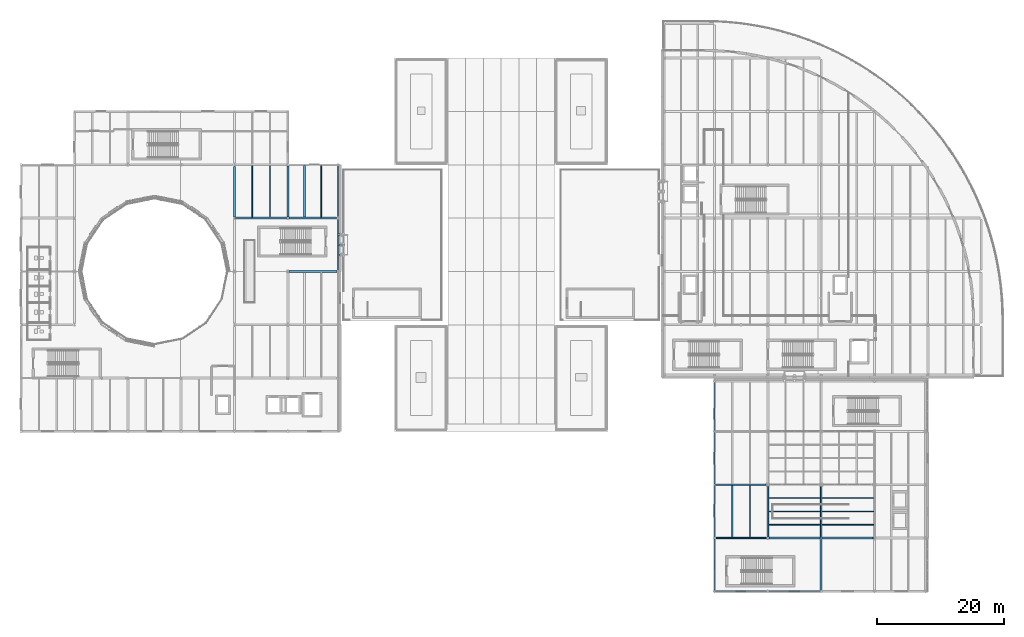
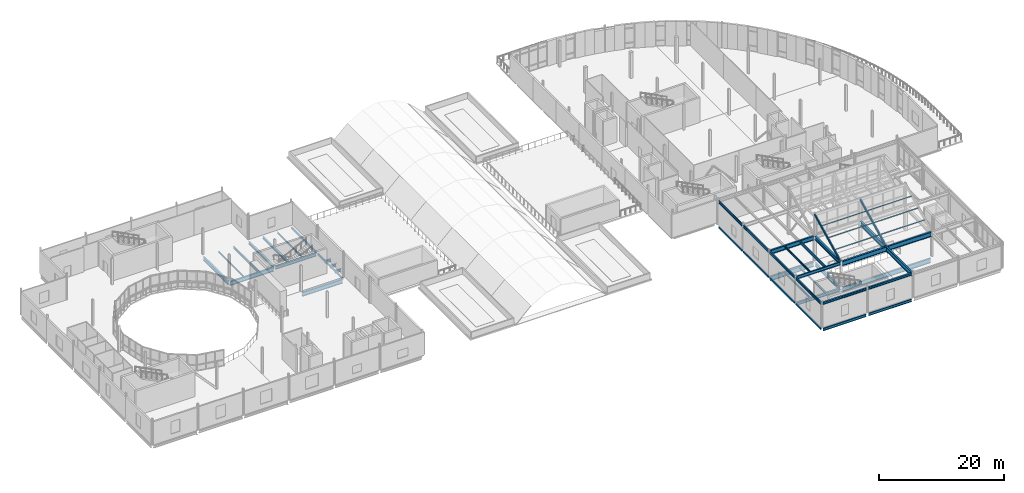
# One storey, part 27 of 91: 41 beams, 3 members.
"""IFC4 building model written with IfcOpenShell, lengths in metres."""

from ifc_helpers import new_model, si_unit, direction, frame, origin, origin_2d, place, context, subcontext, project, spatial, hollow_rectangle, i_section, extrude, material, material_profile, profile_set, type_object, element, save


model = new_model("IFC4")

# Units and contexts
model_context = context("Model", 3, precision=1e-05, world=origin(), true_north=direction((0.0, 1.0)))
body_context = subcontext(model_context, "Body", "Model", "MODEL_VIEW")
ifc_project = project(units=[si_unit("LENGTHUNIT", "METRE"), si_unit("AREAUNIT", "SQUARE_METRE"), si_unit("VOLUMEUNIT", "CUBIC_METRE"), si_unit("PLANEANGLEUNIT", "RADIAN"), si_unit("MASSUNIT", "GRAM", prefix="KILO"), si_unit("THERMODYNAMICTEMPERATUREUNIT", "KELVIN")], contexts=[model_context])

# Site, building, storey
site_placement = place(None, origin())
site = spatial("IfcSite", under=ifc_project, at=site_placement, CompositionType="ELEMENT")
building_placement = place(site_placement, origin())
building = spatial("IfcBuilding", under=site, at=building_placement, Name="Lustrewick Department Store", CompositionType="ELEMENT")
storey_placement = place(building_placement, frame((0.0, 0.0, 21.60009765625)))
storey = spatial("IfcBuildingStorey", under=building, at=storey_placement, Name="L05", CompositionType="ELEMENT", Elevation=21.60009765625)

# Beams
ifc_material_1 = material(Name="Structural steel Q355B", Category="steel")
ifc_material_profile_1 = material_profile(ifc_material_1, i_section(OverallWidth=0.199951171875, OverallDepth=0.5, WebThickness=0.010009765625, FlangeThickness=0.01611328125, FilletRadius=0.01611328125, at=origin_2d()), Name="HN 500x200x10x16")
ifc_profile_set_1 = profile_set([ifc_material_profile_1], Name="Structural steel Q355B")
beam_type_1 = type_object("IfcBeamType", Name="B01", PredefinedType="JOIST", material=ifc_profile_set_1)
beam_1_placement = place(storey_placement, frame((123.199951171875, 25.300537109375, 4.594970703125), z_axis=(0.0, 1.0, 0.0), x_axis=(-1.0, 0.0, 0.0)))
element("IfcBeam", 1, at=beam_1_placement, inside=storey, type_object=beam_type_1, Name="L05 V3 Secondary Joist B01", PredefinedType="JOIST", context=body_context, shape_type="SweptSolid", body=[
    extrude(i_section(OverallWidth=0.199951171875, OverallDepth=0.5, WebThickness=0.010009765625, FlangeThickness=0.01611328125, FilletRadius=0.01611328125, at=origin_2d()), origin(), (0.0, 0.0, 1.0), 8.1484375),
])
ifc_material_profile_2 = material_profile(ifc_material_1, i_section(OverallWidth=0.199951171875, OverallDepth=0.449951171875, WebThickness=0.009033203125, FlangeThickness=0.013916015625, FilletRadius=0.01611328125, at=origin_2d()), Name="HN 450x200x9x14")
ifc_profile_set_2 = profile_set([ifc_material_profile_2], Name="Structural steel Q355B")
beam_type_2 = type_object("IfcBeamType", Name="B03", PredefinedType="JOIST", material=ifc_profile_set_2)
beam_2_placement = place(storey_placement, frame((47.60009765625, 75.7509765625, -0.47998046875), z_axis=(0.0, 1.0, 0.0), x_axis=(-1.0, 0.0, 0.0)))
element("IfcBeam", 2, at=beam_2_placement, inside=storey, type_object=beam_type_2, Name="L05 V1 Secondary Joist B03", PredefinedType="JOIST", context=body_context, shape_type="SweptSolid", body=[
    extrude(i_section(OverallWidth=0.199951171875, OverallDepth=0.449951171875, WebThickness=0.009033203125, FlangeThickness=0.013916015625, FilletRadius=0.01611328125, at=origin_2d()), origin(), (0.0, 0.0, 1.0), 8.09912109375),
])
ifc_material_profile_3 = material_profile(ifc_material_1, i_section(OverallWidth=0.300048828125, OverallDepth=0.389892578125, WebThickness=0.010009765625, FlangeThickness=0.01611328125, FilletRadius=0.01806640625, at=origin_2d()), Name="HM 390x300x10x16")
ifc_profile_set_3 = profile_set([ifc_material_profile_3], Name="Structural steel Q355B")
beam_type_3 = type_object("IfcBeamType", Name="B07", PredefinedType="JOIST", material=ifc_profile_set_3)
beam_3_placement = place(storey_placement, frame((53.033203125, 75.75, -0.4501953125), z_axis=(0.0, 1.0, 0.0), x_axis=(-1.0, 0.0, 0.0)))
element("IfcBeam", 3, at=beam_3_placement, inside=storey, type_object=beam_type_3, Name="L05 V1 Secondary Joist B07", PredefinedType="JOIST", context=body_context, shape_type="SweptSolid", body=[
    extrude(i_section(OverallWidth=0.300048828125, OverallDepth=0.389892578125, WebThickness=0.010009765625, FlangeThickness=0.01611328125, FilletRadius=0.01806640625, at=origin_2d()), origin(), (0.0, 0.0, 1.0), 8.10009765625),
])
ifc_material_profile_4 = material_profile(ifc_material_1, i_section(OverallWidth=0.175048828125, OverallDepth=0.35009765625, WebThickness=0.007080078125, FlangeThickness=0.010986328125, FilletRadius=0.012939453125, at=origin_2d()), Name="HN 350x175x7x11")
ifc_profile_set_4 = profile_set([ifc_material_profile_4], Name="Structural steel Q355B")
beam_type_4 = type_object("IfcBeamType", Name="B09", PredefinedType="JOIST", material=ifc_profile_set_4)
beam_4_placement = place(storey_placement, frame((120.39990234375, 25.35009765625, -0.43017578125), z_axis=(0.0, 1.0, 0.0), x_axis=(-1.0, 0.0, 0.0)))
element("IfcBeam", 4, at=beam_4_placement, inside=storey, type_object=beam_type_4, Name="L05 V3 Secondary Joist B09", PredefinedType="JOIST", context=body_context, shape_type="SweptSolid", body=[
    extrude(i_section(OverallWidth=0.175048828125, OverallDepth=0.35009765625, WebThickness=0.007080078125, FlangeThickness=0.010986328125, FilletRadius=0.012939453125, at=origin_2d()), origin(), (0.0, 0.0, 1.0), 8.100341796875),
])
ifc_material_profile_5 = material_profile(ifc_material_1, i_section(OverallWidth=0.174072265625, OverallDepth=0.345947265625, WebThickness=0.006103515625, FlangeThickness=0.009033203125, FilletRadius=0.012939453125, at=origin_2d()), Name="HN 346x174x6x9")
ifc_profile_set_5 = profile_set([ifc_material_profile_5], Name="Structural steel Q355B")
beam_type_5 = type_object("IfcBeamType", Name="B10", PredefinedType="JOIST", material=ifc_profile_set_5)
beam_5_placement = place(storey_placement, frame((120.39990234375, 25.300537109375, 4.671875), z_axis=(0.0, 1.0, 0.0), x_axis=(-1.0, 0.0, 0.0)))
element("IfcBeam", 5, at=beam_5_placement, inside=storey, type_object=beam_type_5, Name="L05 V3 Secondary Joist B10", PredefinedType="JOIST", context=body_context, shape_type="SweptSolid", body=[
    extrude(i_section(OverallWidth=0.174072265625, OverallDepth=0.345947265625, WebThickness=0.006103515625, FlangeThickness=0.009033203125, FilletRadius=0.012939453125, at=origin_2d()), origin(), (0.0, 0.0, 1.0), 8.1484375),
])
ifc_material_profile_6 = material_profile(ifc_material_1, i_section(OverallWidth=0.14990234375, OverallDepth=0.300048828125, WebThickness=0.006591796875, FlangeThickness=0.009033203125, FilletRadius=0.011962890625, at=origin_2d()), Name="HN 300x150x6.5x9")
ifc_profile_set_6 = profile_set([ifc_material_profile_6], Name="Structural steel Q355B")
beam_type_6 = type_object("IfcBeamType", Name="B11", PredefinedType="JOIST", material=ifc_profile_set_6)
beam_6_placement = place(storey_placement, frame((55.666748046875, 75.75, -0.405029296875), z_axis=(0.0, 1.0, 0.0), x_axis=(-1.0, 0.0, 0.0)))
element("IfcBeam", 6, at=beam_6_placement, inside=storey, type_object=beam_type_6, Name="L05 V1 Secondary Joist B11", PredefinedType="JOIST", context=body_context, shape_type="SweptSolid", body=[
    extrude(i_section(OverallWidth=0.14990234375, OverallDepth=0.300048828125, WebThickness=0.006591796875, FlangeThickness=0.009033203125, FilletRadius=0.011962890625, at=origin_2d()), origin(), (0.0, 0.0, 1.0), 8.10009765625),
])
ifc_material_profile_7 = material_profile(ifc_material_1, i_section(OverallWidth=0.14892578125, OverallDepth=0.298095703125, WebThickness=0.005615234375, FlangeThickness=0.008056640625, FilletRadius=0.011962890625, at=origin_2d()), Name="HN 298x149x5.5x8")
ifc_profile_set_7 = profile_set([ifc_material_profile_7], Name="Structural steel Q355B")
beam_type_7 = type_object("IfcBeamType", Name="B12", PredefinedType="JOIST", material=ifc_profile_set_7)
beam_7_placement = place(storey_placement, frame((44.800048828125, 75.7509765625, -0.404052734375), z_axis=(0.0, 1.0, 0.0), x_axis=(-1.0, 0.0, 0.0)))
element("IfcBeam", 7, at=beam_7_placement, inside=storey, type_object=beam_type_7, Name="L05 V1 Secondary Joist B12", PredefinedType="JOIST", context=body_context, shape_type="SweptSolid", body=[
    extrude(i_section(OverallWidth=0.14892578125, OverallDepth=0.298095703125, WebThickness=0.005615234375, FlangeThickness=0.008056640625, FilletRadius=0.011962890625, at=origin_2d()), origin(), (0.0, 0.0, 1.0), 8.09912109375),
])
ifc_material_profile_8 = material_profile(ifc_material_1, i_section(OverallWidth=0.199951171875, OverallDepth=0.2939453125, WebThickness=0.008056640625, FlangeThickness=0.011962890625, FilletRadius=0.013916015625, at=origin_2d()), Name="HM 294x200x8x12")
ifc_profile_set_8 = profile_set([ifc_material_profile_8], Name="Structural steel Q355B")
beam_type_8 = type_object("IfcBeamType", Name="B13", PredefinedType="JOIST", material=ifc_profile_set_8)
beam_8_placement = place(storey_placement, frame((123.199951171875, 25.35009765625, -0.402099609375), z_axis=(0.0, 1.0, 0.0), x_axis=(-1.0, 0.0, 0.0)))
element("IfcBeam", 8, at=beam_8_placement, inside=storey, type_object=beam_type_8, Name="L05 V3 Secondary Joist B13", PredefinedType="JOIST", context=body_context, shape_type="SweptSolid", body=[
    extrude(i_section(OverallWidth=0.199951171875, OverallDepth=0.2939453125, WebThickness=0.008056640625, FlangeThickness=0.011962890625, FilletRadius=0.013916015625, at=origin_2d()), origin(), (0.0, 0.0, 1.0), 8.100341796875),
])

# Members
ifc_material_profile_9 = material_profile(ifc_material_1, hollow_rectangle(XDim=0.1201171875, YDim=0.1201171875, WallThickness=0.006103515625, at=origin_2d()), Name="SHS 120x120x6")
ifc_profile_set_9 = profile_set([ifc_material_profile_9], Name="Structural steel Q355B")
member_type = type_object("IfcMemberType", Name="DR06", PredefinedType="PURLIN", material=ifc_profile_set_9)
for number, where, z_axis, x_axis, name in (
    (9, (126.0, 27.300048828125, 5.83984375), (1.0, 0.0, 0.0), (0.0, 1.0, 0.0), "V3 Lantern Purlin 1.1"),
    (10, (126.0, 29.39990234375, 6.889892578125), (1.0, 0.0, 0.0), (0.0, 1.0, 0.0), "V3 Lantern Purlin 1.2"),
    (11, (126.0, 31.5, 7.93994140625), (1.0, 0.0, 0.0), (0.0, 1.0, 0.0), "V3 Lantern Purlin 1.3"),
):
    element("IfcMember", number, at=place(storey_placement, frame(where, z_axis=z_axis, x_axis=x_axis)), inside=storey, type_object=member_type, Name=name, PredefinedType="PURLIN", context=body_context, shape_type="SweptSolid", body=[
        extrude(hollow_rectangle(XDim=0.1201171875, YDim=0.1201171875, WallThickness=0.006103515625, at=origin_2d()), origin(), (0.0, 0.0, 1.0), 16.800048828125),
    ])

# Beams
ifc_material_2 = material(Name="Structural steel Q355C", Category="steel")
ifc_material_profile_10 = material_profile(ifc_material_2, i_section(OverallWidth=0.302001953125, OverallDepth=0.912109375, WebThickness=0.01806640625, FlangeThickness=0.033935546875, FilletRadius=0.02392578125, at=origin_2d()), Name="HN 912x302x18x34")
ifc_profile_set_10 = profile_set([ifc_material_profile_10], Name="Structural steel Q355C")
beam_type_9 = type_object("IfcBeamType", Name="G01", PredefinedType="BEAM", material=ifc_profile_set_10)
beam_9_placement = place(storey_placement, frame((126.14990234375, 25.199951171875, 4.388916015625), z_axis=(1.0, 0.0, 0.0), x_axis=(0.0, 1.0, 0.0)))
element("IfcBeam", 12, at=beam_9_placement, inside=storey, type_object=beam_type_9, Name="L05 V3 Girder G01", PredefinedType="BEAM", context=body_context, shape_type="SweptSolid", body=[
    extrude(i_section(OverallWidth=0.302001953125, OverallDepth=0.912109375, WebThickness=0.01806640625, FlangeThickness=0.033935546875, FilletRadius=0.02392578125, at=origin_2d()), origin(), (0.0, 0.0, 1.0), 16.5),
])
ifc_material_profile_11 = material_profile(ifc_material_2, i_section(OverallWidth=0.300048828125, OverallDepth=0.89990234375, WebThickness=0.01611328125, FlangeThickness=0.028076171875, FilletRadius=0.02392578125, at=origin_2d()), Name="HN 900x300x16x28")
ifc_profile_set_11 = profile_set([ifc_material_profile_11], Name="Structural steel Q355C")
beam_type_10 = type_object("IfcBeamType", Name="G02", PredefinedType="BEAM", material=ifc_profile_set_11)
beam_10_placement = place(storey_placement, frame((126.27490234375, 25.199951171875, -0.705078125), z_axis=(1.0, 0.0, 0.0), x_axis=(0.0, 1.0, 0.0)))
element("IfcBeam", 13, at=beam_10_placement, inside=storey, type_object=beam_type_10, Name="L05 V3 Girder G02", PredefinedType="BEAM", context=body_context, shape_type="SweptSolid", body=[
    extrude(i_section(OverallWidth=0.300048828125, OverallDepth=0.89990234375, WebThickness=0.01611328125, FlangeThickness=0.028076171875, FilletRadius=0.02392578125, at=origin_2d()), origin(), (0.0, 0.0, 1.0), 16.25),
])
ifc_material_profile_12 = material_profile(ifc_material_2, i_section(OverallWidth=0.299072265625, OverallDepth=0.889892578125, WebThickness=0.014892578125, FlangeThickness=0.02294921875, FilletRadius=0.02392578125, at=origin_2d()), Name="HN 890x299x15x23")
ifc_profile_set_12 = profile_set([ifc_material_profile_12], Name="Structural steel Q355C")
beam_type_11 = type_object("IfcBeamType", Name="G03", PredefinedType="BEAM", material=ifc_profile_set_12)
beam_11_placement = place(storey_placement, frame((117.78857421875, 33.60009765625, -0.7001953125), z_axis=(1.0, 0.0, 0.0), x_axis=(0.0, 1.0, 0.0)))
element("IfcBeam", 14, at=beam_11_placement, inside=storey, type_object=beam_type_11, Name="L05 V3 Girder G03", PredefinedType="BEAM", context=body_context, shape_type="SweptSolid", body=[
    extrude(i_section(OverallWidth=0.299072265625, OverallDepth=0.889892578125, WebThickness=0.014892578125, FlangeThickness=0.02294921875, FilletRadius=0.02392578125, at=origin_2d()), origin(), (0.0, 0.0, 1.0), 7.96142578125),
])
beam_12_placement = place(storey_placement, frame((134.39990234375, 16.97802734375, 4.39990234375), z_axis=(0.0, 1.0, 0.0), x_axis=(-1.0, 0.0, 0.0)))
element("IfcBeam", 15, at=beam_12_placement, inside=storey, type_object=beam_type_11, Name="L05 V3 Girder G03", PredefinedType="BEAM", context=body_context, shape_type="SweptSolid", body=[
    extrude(i_section(OverallWidth=0.299072265625, OverallDepth=0.889892578125, WebThickness=0.014892578125, FlangeThickness=0.02294921875, FilletRadius=0.02392578125, at=origin_2d()), origin(), (0.0, 0.0, 1.0), 16.39697265625),
])
ifc_material_profile_13 = material_profile(ifc_material_2, i_section(OverallWidth=0.302001953125, OverallDepth=0.80810546875, WebThickness=0.01611328125, FlangeThickness=0.030029296875, FilletRadius=0.02197265625, at=origin_2d()), Name="HN 808x302x16x30")
ifc_profile_set_13 = profile_set([ifc_material_profile_13], Name="Structural steel Q355C")
beam_type_12 = type_object("IfcBeamType", Name="G04", PredefinedType="BEAM", material=ifc_profile_set_13)
beam_13_placement = place(storey_placement, frame((50.60107421875, 67.199951171875, -0.6591796875), z_axis=(1.0, 0.0, 0.0), x_axis=(0.0, 1.0, 0.0)))
element("IfcBeam", 16, at=beam_13_placement, inside=storey, type_object=beam_type_12, Name="L05 V1 Girder G04", PredefinedType="BEAM", context=body_context, shape_type="SweptSolid", body=[
    extrude(i_section(OverallWidth=0.302001953125, OverallDepth=0.80810546875, WebThickness=0.01611328125, FlangeThickness=0.030029296875, FilletRadius=0.02197265625, at=origin_2d()), origin(), (0.0, 0.0, 1.0), 7.510498046875),
])
beam_14_placement = place(storey_placement, frame((42.175048828125, 75.60009765625, -0.6591796875), z_axis=(1.0, 0.0, 0.0), x_axis=(0.0, 1.0, 0.0)))
element("IfcBeam", 17, at=beam_14_placement, inside=storey, type_object=beam_type_12, Name="L05 V1 Girder G04", PredefinedType="BEAM", context=body_context, shape_type="SweptSolid", body=[
    extrude(i_section(OverallWidth=0.302001953125, OverallDepth=0.80810546875, WebThickness=0.01611328125, FlangeThickness=0.030029296875, FilletRadius=0.02197265625, at=origin_2d()), origin(), (0.0, 0.0, 1.0), 8.050048828125),
])
beam_15_placement = place(storey_placement, frame((117.72509765625, 33.60009765625, 4.44091796875), z_axis=(1.0, 0.0, 0.0), x_axis=(0.0, 1.0, 0.0)))
element("IfcBeam", 18, at=beam_15_placement, inside=storey, type_object=beam_type_12, Name="L05 V3 Girder G04", PredefinedType="BEAM", context=body_context, shape_type="SweptSolid", body=[
    extrude(i_section(OverallWidth=0.302001953125, OverallDepth=0.80810546875, WebThickness=0.01611328125, FlangeThickness=0.030029296875, FilletRadius=0.02197265625, at=origin_2d()), origin(), (0.0, 0.0, 1.0), 8.0498046875),
])
ifc_material_profile_14 = material_profile(ifc_material_1, i_section(OverallWidth=0.300048828125, OverallDepth=0.699951171875, WebThickness=0.012939453125, FlangeThickness=0.02392578125, FilletRadius=0.02001953125, at=origin_2d()), Name="HN 700x300x13x24")
ifc_profile_set_14 = profile_set([ifc_material_profile_14], Name="Structural steel Q355B")
beam_type_13 = type_object("IfcBeamType", Name="G08", PredefinedType="BEAM", material=ifc_profile_set_14)
beam_16_placement = place(storey_placement, frame((126.0, 25.47509765625, -0.60498046875), z_axis=(0.0, 1.0, 0.0), x_axis=(-1.0, 0.0, 0.0)))
element("IfcBeam", 19, at=beam_16_placement, inside=storey, type_object=beam_type_13, Name="L05 V3 Girder G08", PredefinedType="BEAM", context=body_context, shape_type="SweptSolid", body=[
    extrude(i_section(OverallWidth=0.300048828125, OverallDepth=0.699951171875, WebThickness=0.012939453125, FlangeThickness=0.02392578125, FilletRadius=0.02001953125, at=origin_2d()), origin(), (0.0, 0.0, 1.0), 7.875),
])
ifc_material_profile_15 = material_profile(ifc_material_1, i_section(OverallWidth=0.300048828125, OverallDepth=0.69189453125, WebThickness=0.012939453125, FlangeThickness=0.02001953125, FilletRadius=0.02001953125, at=origin_2d()), Name="HN 692x300x13x20")
ifc_profile_set_15 = profile_set([ifc_material_profile_15], Name="Structural steel Q355B")
beam_type_14 = type_object("IfcBeamType", Name="G09", PredefinedType="BEAM", material=ifc_profile_set_15)
beam_17_placement = place(storey_placement, frame((42.0, 75.77490234375, -0.60107421875), z_axis=(0.0, 1.0, 0.0), x_axis=(-1.0, 0.0, 0.0)))
element("IfcBeam", 20, at=beam_17_placement, inside=storey, type_object=beam_type_14, Name="L05 V1 Girder G09", PredefinedType="BEAM", context=body_context, shape_type="SweptSolid", body=[
    extrude(i_section(OverallWidth=0.300048828125, OverallDepth=0.69189453125, WebThickness=0.012939453125, FlangeThickness=0.02001953125, FilletRadius=0.02001953125, at=origin_2d()), origin(), (0.0, 0.0, 1.0), 7.9501953125),
])
beam_18_placement = place(storey_placement, frame((126.0, 25.35009765625, 4.4990234375), z_axis=(0.0, 1.0, 0.0), x_axis=(-1.0, 0.0, 0.0)))
element("IfcBeam", 21, at=beam_18_placement, inside=storey, type_object=beam_type_14, Name="L05 V3 Girder G09", PredefinedType="BEAM", context=body_context, shape_type="SweptSolid", body=[
    extrude(i_section(OverallWidth=0.300048828125, OverallDepth=0.69189453125, WebThickness=0.012939453125, FlangeThickness=0.02001953125, FilletRadius=0.02001953125, at=origin_2d()), origin(), (0.0, 0.0, 1.0), 8.02490234375),
])
ifc_material_profile_16 = material_profile(ifc_material_1, i_section(OverallWidth=0.300048828125, OverallDepth=0.58203125, WebThickness=0.011962890625, FlangeThickness=0.01708984375, FilletRadius=0.02392578125, at=origin_2d()), Name="HM 582x300x12x17")
ifc_profile_set_16 = profile_set([ifc_material_profile_16], Name="Structural steel Q355B")
beam_type_15 = type_object("IfcBeamType", Name="G12", PredefinedType="BEAM", material=ifc_profile_set_16)
beam_19_placement = place(storey_placement, frame((50.574951171875, 75.60009765625, -0.546142578125), z_axis=(1.0, 0.0, 0.0), x_axis=(0.0, 1.0, 0.0)))
element("IfcBeam", 22, at=beam_19_placement, inside=storey, type_object=beam_type_15, Name="L05 V1 Girder G12", PredefinedType="BEAM", context=body_context, shape_type="SweptSolid", body=[
    extrude(i_section(OverallWidth=0.300048828125, OverallDepth=0.58203125, WebThickness=0.011962890625, FlangeThickness=0.01708984375, FilletRadius=0.02392578125, at=origin_2d()), origin(), (0.0, 0.0, 1.0), 7.52197265625),
])
beam_20_placement = place(storey_placement, frame((117.802978515625, 25.199951171875, -0.546142578125), z_axis=(1.0, 0.0, 0.0), x_axis=(0.0, 1.0, 0.0)))
element("IfcBeam", 23, at=beam_20_placement, inside=storey, type_object=beam_type_15, Name="L05 V3 Girder G12", PredefinedType="BEAM", context=body_context, shape_type="SweptSolid", body=[
    extrude(i_section(OverallWidth=0.300048828125, OverallDepth=0.58203125, WebThickness=0.011962890625, FlangeThickness=0.01708984375, FilletRadius=0.02392578125, at=origin_2d()), origin(), (0.0, 0.0, 1.0), 7.922119140625),
])
ifc_material_profile_17 = material_profile(ifc_material_1, i_section(OverallWidth=0.200927734375, OverallDepth=0.60595703125, WebThickness=0.011962890625, FlangeThickness=0.02001953125, FilletRadius=0.01806640625, at=origin_2d()), Name="HN 606x201x12x20")
ifc_profile_set_17 = profile_set([ifc_material_profile_17], Name="Structural steel Q355B")
beam_type_16 = type_object("IfcBeamType", Name="G13", PredefinedType="BEAM", material=ifc_profile_set_17)
beam_21_placement = place(storey_placement, frame((117.778076171875, 25.199951171875, 4.5419921875), z_axis=(1.0, 0.0, 0.0), x_axis=(0.0, 1.0, 0.0)))
element("IfcBeam", 24, at=beam_21_placement, inside=storey, type_object=beam_type_16, Name="L05 V3 Girder G13", PredefinedType="BEAM", context=body_context, shape_type="SweptSolid", body=[
    extrude(i_section(OverallWidth=0.200927734375, OverallDepth=0.60595703125, WebThickness=0.011962890625, FlangeThickness=0.02001953125, FilletRadius=0.01806640625, at=origin_2d()), origin(), (0.0, 0.0, 1.0), 8.072021484375),
])
ifc_material_profile_18 = material_profile(ifc_material_1, i_section(OverallWidth=0.300048828125, OverallDepth=0.488037109375, WebThickness=0.010986328125, FlangeThickness=0.01806640625, FilletRadius=0.02197265625, at=origin_2d()), Name="HM 488x300x11x18")
ifc_profile_set_18 = profile_set([ifc_material_profile_18], Name="Structural steel Q355B")
beam_type_17 = type_object("IfcBeamType", Name="G16", PredefinedType="BEAM", material=ifc_profile_set_18)
for number, where, z_axis, x_axis, name in (
    (25, (58.199951171875, 69.800048828125, -0.4990234375), (1.0, 0.0, 0.0), (0.0, 1.0, 0.0), "L05 Skybridge SB12 Girder 1"),
    (26, (58.199951171875, 73.0, -0.4990234375), (1.0, 0.0, 0.0), (0.0, 1.0, 0.0), "L05 Skybridge SB12 Girder 2"),
    (27, (58.199951171875, 71.39990234375, -0.4990234375), (1.0, 0.0, 0.0), (0.0, 1.0, 0.0), "L05 Skybridge SB12 Girder 3"),
):
    element("IfcBeam", number, at=place(storey_placement, frame(where, z_axis=z_axis, x_axis=x_axis)), inside=storey, type_object=beam_type_17, Name=name, PredefinedType="BEAM", context=body_context, shape_type="SweptSolid", body=[
        extrude(i_section(OverallWidth=0.300048828125, OverallDepth=0.488037109375, WebThickness=0.010986328125, FlangeThickness=0.01806640625, FilletRadius=0.02197265625, at=origin_2d()), origin(), (0.0, 0.0, 1.0), 1.14013671875),
    ])
ifc_material_profile_19 = material_profile(ifc_material_2, hollow_rectangle(XDim=0.199951171875, YDim=0.39990234375, WallThickness=0.011962890625, at=origin_2d()), Name="RHS 400x200x12")
ifc_profile_set_19 = profile_set([ifc_material_profile_19], Name="Structural steel Q355C")
beam_type_18 = type_object("IfcBeamType", Name="G19", PredefinedType="BEAM", material=ifc_profile_set_19)
for number, where, z_axis, x_axis, name in (
    (28, (126.0, 25.199951171875, 4.739990234375), (0.0, 0.89443239007, 0.447203197209), (-1.0, 0.0, 0.0), "V3 Lantern Rafter 1.126"),
    (29, (134.39990234375, 25.199951171875, 4.739990234375), (0.0, 0.89443239007, 0.447203197209), (-1.0, 0.0, 0.0), "V3 Lantern Rafter 1.134"),
):
    element("IfcBeam", number, at=place(storey_placement, frame(where, z_axis=z_axis, x_axis=x_axis)), inside=storey, type_object=beam_type_18, Name=name, PredefinedType="BEAM", context=body_context, shape_type="SweptSolid", body=[
        extrude(hollow_rectangle(XDim=0.199951171875, YDim=0.39990234375, WallThickness=0.011962890625, at=origin_2d()), origin(), (0.0, 0.0, 1.0), 9.3916015625),
    ])
ifc_material_profile_20 = material_profile(ifc_material_1, i_section(OverallWidth=0.300048828125, OverallDepth=0.48193359375, WebThickness=0.010986328125, FlangeThickness=0.014892578125, FilletRadius=0.02197265625, at=origin_2d()), Name="HM 482x300x11x15")
ifc_profile_set_20 = profile_set([ifc_material_profile_20], Name="Structural steel Q355B")
beam_type_19 = type_object("IfcBeamType", Name="G20", PredefinedType="BEAM", material=ifc_profile_set_20)
beam_22_placement = place(storey_placement, frame((50.39990234375, 75.77490234375, -0.49609375), z_axis=(0.0, 1.0, 0.0), x_axis=(-1.0, 0.0, 0.0)))
element("IfcBeam", 30, at=beam_22_placement, inside=storey, type_object=beam_type_19, Name="L05 V1 Girder G20", PredefinedType="BEAM", context=body_context, shape_type="SweptSolid", body=[
    extrude(i_section(OverallWidth=0.300048828125, OverallDepth=0.48193359375, WebThickness=0.010986328125, FlangeThickness=0.014892578125, FilletRadius=0.02197265625, at=origin_2d()), origin(), (0.0, 0.0, 1.0), 8.022216796875),
])
ifc_material_profile_21 = material_profile(ifc_material_1, i_section(OverallWidth=0.200927734375, OverallDepth=0.506103515625, WebThickness=0.010986328125, FlangeThickness=0.01904296875, FilletRadius=0.01611328125, at=origin_2d()), Name="HN 506x201x11x19")
ifc_profile_set_21 = profile_set([ifc_material_profile_21], Name="Structural steel Q355B")
beam_type_20 = type_object("IfcBeamType", Name="SP01", PredefinedType="SPANDREL", material=ifc_profile_set_21)
for number, where, z_axis, x_axis, name in (
    (31, (117.802978515625, 16.800048828125, -0.508056640625), (1.0, 0.0, 0.0), (0.0, 1.0, 0.0), "L05 V3 Girder SP01"),
    (32, (126.202880859375, 16.800048828125, -0.508056640625), (1.0, 0.0, 0.0), (0.0, 1.0, 0.0), "L05 V3 Girder SP01"),
):
    element("IfcBeam", number, at=place(storey_placement, frame(where, z_axis=z_axis, x_axis=x_axis)), inside=storey, type_object=beam_type_20, Name=name, PredefinedType="SPANDREL", context=body_context, shape_type="SweptSolid", body=[
        extrude(i_section(OverallWidth=0.200927734375, OverallDepth=0.506103515625, WebThickness=0.010986328125, FlangeThickness=0.01904296875, FilletRadius=0.01611328125, at=origin_2d()), origin(), (0.0, 0.0, 1.0), 7.994140625),
    ])
beam_23_placement = place(storey_placement, frame((117.60009765625, 16.97802734375, 4.591796875), z_axis=(0.0, 1.0, 0.0), x_axis=(-1.0, 0.0, 0.0)))
element("IfcBeam", 33, at=beam_23_placement, inside=storey, type_object=beam_type_20, Name="L05 V3 Girder SP01", PredefinedType="SPANDREL", context=body_context, shape_type="SweptSolid", body=[
    extrude(i_section(OverallWidth=0.200927734375, OverallDepth=0.506103515625, WebThickness=0.010986328125, FlangeThickness=0.01904296875, FilletRadius=0.01611328125, at=origin_2d()), origin(), (0.0, 0.0, 1.0), 8.0439453125),
])
beam_24_placement = place(storey_placement, frame((117.60009765625, 25.3779296875, 4.591796875), z_axis=(0.0, 1.0, 0.0), x_axis=(-1.0, 0.0, 0.0)))
element("IfcBeam", 34, at=beam_24_placement, inside=storey, type_object=beam_type_20, Name="L05 V3 Girder SP01", PredefinedType="SPANDREL", context=body_context, shape_type="SweptSolid", body=[
    extrude(i_section(OverallWidth=0.200927734375, OverallDepth=0.506103515625, WebThickness=0.010986328125, FlangeThickness=0.01904296875, FilletRadius=0.01611328125, at=origin_2d()), origin(), (0.0, 0.0, 1.0), 8.09716796875),
])
beam_25_placement = place(storey_placement, frame((117.60009765625, 33.72509765625, 4.591796875), z_axis=(0.0, 1.0, 0.0), x_axis=(-1.0, 0.0, 0.0)))
element("IfcBeam", 35, at=beam_25_placement, inside=storey, type_object=beam_type_20, Name="L05 V3 Girder SP01", PredefinedType="SPANDREL", context=body_context, shape_type="SweptSolid", body=[
    extrude(i_section(OverallWidth=0.200927734375, OverallDepth=0.506103515625, WebThickness=0.010986328125, FlangeThickness=0.01904296875, FilletRadius=0.01611328125, at=origin_2d()), origin(), (0.0, 0.0, 1.0), 8.096923828125),
])
beam_26_placement = place(storey_placement, frame((117.60009765625, 42.177978515625, 4.591796875), z_axis=(0.0, 1.0, 0.0), x_axis=(-1.0, 0.0, 0.0)))
element("IfcBeam", 36, at=beam_26_placement, inside=storey, type_object=beam_type_20, Name="L05 V3 Girder SP01", PredefinedType="SPANDREL", context=body_context, shape_type="SweptSolid", body=[
    extrude(i_section(OverallWidth=0.200927734375, OverallDepth=0.506103515625, WebThickness=0.010986328125, FlangeThickness=0.01904296875, FilletRadius=0.01611328125, at=origin_2d()), origin(), (0.0, 0.0, 1.0), 7.5439453125),
])
ifc_material_profile_22 = material_profile(ifc_material_1, i_section(OverallWidth=0.300048828125, OverallDepth=0.43994140625, WebThickness=0.010986328125, FlangeThickness=0.01806640625, FilletRadius=0.02001953125, at=origin_2d()), Name="HM 440x300x11x18")
ifc_profile_set_22 = profile_set([ifc_material_profile_22], Name="Structural steel Q355B")
beam_type_21 = type_object("IfcBeamType", Name="SP02", PredefinedType="SPANDREL", material=ifc_profile_set_22)
for number, where, z_axis, x_axis, name in (
    (37, (117.778076171875, 16.800048828125, 4.625), (1.0, 0.0, 0.0), (0.0, 1.0, 0.0), "L05 V3 Girder SP02"),
    (38, (126.177978515625, 16.800048828125, 4.625), (1.0, 0.0, 0.0), (0.0, 1.0, 0.0), "L05 V3 Girder SP02"),
):
    element("IfcBeam", number, at=place(storey_placement, frame(where, z_axis=z_axis, x_axis=x_axis)), inside=storey, type_object=beam_type_21, Name=name, PredefinedType="SPANDREL", context=body_context, shape_type="SweptSolid", body=[
        extrude(i_section(OverallWidth=0.300048828125, OverallDepth=0.43994140625, WebThickness=0.010986328125, FlangeThickness=0.01806640625, FilletRadius=0.02001953125, at=origin_2d()), origin(), (0.0, 0.0, 1.0), 8.0439453125),
    ])
ifc_material_profile_23 = material_profile(ifc_material_2, hollow_rectangle(XDim=0.199951171875, YDim=0.35009765625, WallThickness=0.011962890625, at=origin_2d()), Name="RHS 350x200x12")
ifc_profile_set_23 = profile_set([ifc_material_profile_23], Name="Structural steel Q355C")
beam_type_22 = type_object("IfcBeamType", Name="SP03", PredefinedType="SPANDREL", material=ifc_profile_set_23)
for number, where, z_axis, x_axis, name in (
    (39, (58.300048828125, 67.388427734375, -0.43017578125), (0.0, 1.0, 0.0), (-1.0, 0.0, 0.0), "L05 V1 Girder SP03"),
    (40, (58.300048828125, 75.802978515625, -0.43017578125), (0.0, 1.0, 0.0), (-1.0, 0.0, 0.0), "L05 V1 Girder SP03"),
):
    element("IfcBeam", number, at=place(storey_placement, frame(where, z_axis=z_axis, x_axis=x_axis)), inside=storey, type_object=beam_type_22, Name=name, PredefinedType="SPANDREL", context=body_context, shape_type="SweptSolid", body=[
        extrude(hollow_rectangle(XDim=0.199951171875, YDim=0.35009765625, WallThickness=0.011962890625, at=origin_2d()), origin(), (0.0, 0.0, 1.0), 8.008544921875),
    ])
beam_27_placement = place(storey_placement, frame((117.60009765625, 17.0029296875, -0.43017578125), z_axis=(0.0, 1.0, 0.0), x_axis=(-1.0, 0.0, 0.0)))
element("IfcBeam", 41, at=beam_27_placement, inside=storey, type_object=beam_type_22, Name="L05 V3 Girder SP03", PredefinedType="SPANDREL", context=body_context, shape_type="SweptSolid", body=[
    extrude(hollow_rectangle(XDim=0.199951171875, YDim=0.35009765625, WallThickness=0.011962890625, at=origin_2d()), origin(), (0.0, 0.0, 1.0), 7.994140625),
])
for number, where, z_axis, x_axis, name in (
    (42, (117.60009765625, 25.403076171875, -0.43017578125), (0.0, 1.0, 0.0), (-1.0, 0.0, 0.0), "L05 V3 Girder SP03"),
    (43, (117.60009765625, 33.78857421875, -0.43017578125), (0.0, 1.0, 0.0), (-1.0, 0.0, 0.0), "L05 V3 Girder SP03"),
):
    element("IfcBeam", number, at=place(storey_placement, frame(where, z_axis=z_axis, x_axis=x_axis)), inside=storey, type_object=beam_type_22, Name=name, PredefinedType="SPANDREL", context=body_context, shape_type="SweptSolid", body=[
        extrude(hollow_rectangle(XDim=0.199951171875, YDim=0.35009765625, WallThickness=0.011962890625, at=origin_2d()), origin(), (0.0, 0.0, 1.0), 8.008544921875),
    ])
beam_28_placement = place(storey_placement, frame((117.60009765625, 42.202880859375, -0.43017578125), z_axis=(0.0, 1.0, 0.0), x_axis=(-1.0, 0.0, 0.0)))
element("IfcBeam", 44, at=beam_28_placement, inside=storey, type_object=beam_type_22, Name="L05 V3 Girder SP03", PredefinedType="SPANDREL", context=body_context, shape_type="SweptSolid", body=[
    extrude(hollow_rectangle(XDim=0.199951171875, YDim=0.35009765625, WallThickness=0.011962890625, at=origin_2d()), origin(), (0.0, 0.0, 1.0), 7.494140625),
])

save(model, "model.ifc")
